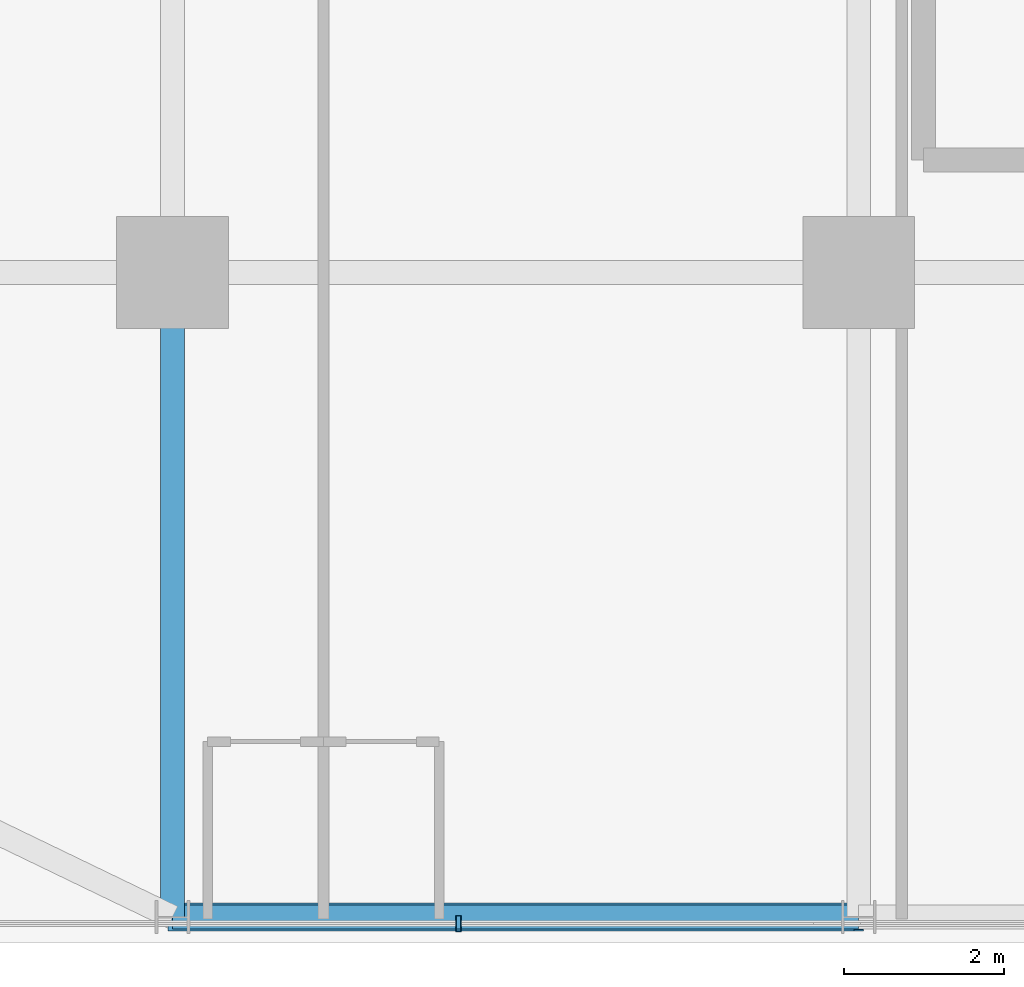
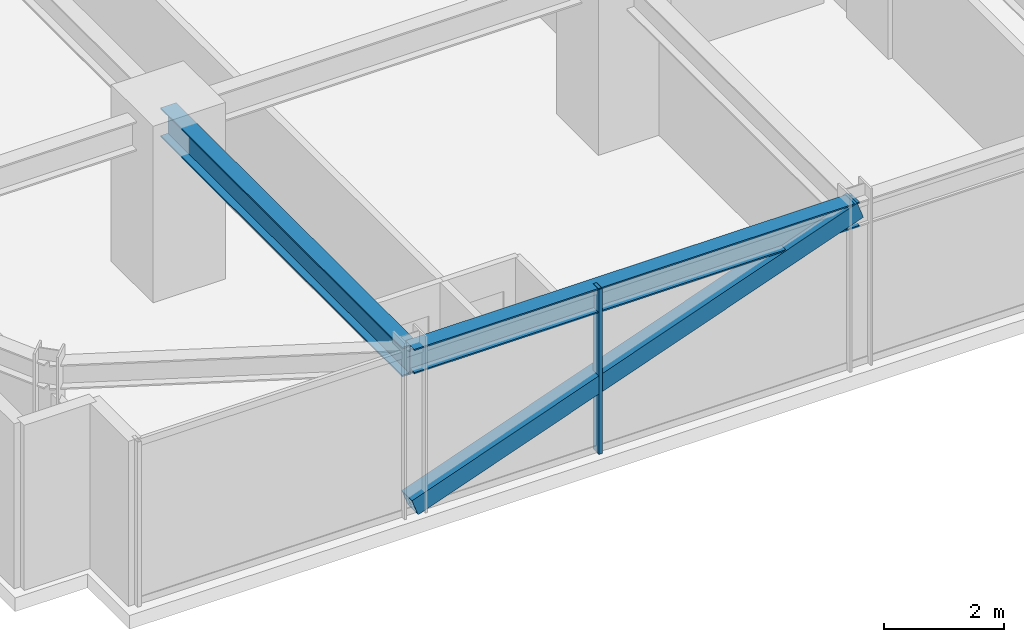
# One storey, part 4 of 42: 2 beams, 2 members, 1 element without a shape of its own.
"""IFC4 building model written with IfcOpenShell, lengths in metres."""

from ifc_helpers import new_model, si_unit, direction, frame, origin, origin_2d, place, context, subcontext, project, spatial, hollow_rectangle, i_section, extrude, source, transform, mapped, material, material_profile, profile_set, type_object, element, aggregate, save


model = new_model("IFC4")

# Units and contexts
model_context = context("Model", 3, precision=1e-05, world=origin(), true_north=direction((0.0, 1.0)))
body_context = subcontext(model_context, "Body", "Model", "MODEL_VIEW")
ifc_project = project(units=[si_unit("LENGTHUNIT", "METRE"), si_unit("AREAUNIT", "SQUARE_METRE"), si_unit("VOLUMEUNIT", "CUBIC_METRE"), si_unit("PLANEANGLEUNIT", "RADIAN"), si_unit("MASSUNIT", "GRAM", prefix="KILO")], contexts=[model_context])

# Site, building, storey
site_placement = place(None, origin())
site = spatial("IfcSite", under=ifc_project, at=site_placement, CompositionType="ELEMENT")
building_placement = place(site_placement, origin())
building = spatial("IfcBuilding", under=site, at=building_placement, Name="Nahalor Promenade Grand Hotel", CompositionType="ELEMENT")
storey_placement = place(building_placement, frame((0.0, 0.0, 61.60009765625)))
storey = spatial("IfcBuildingStorey", under=building, at=storey_placement, Name="L14", CompositionType="ELEMENT", Elevation=61.60009765625)

# Beams
ifc_material_1 = material(Name="Steel S355JR", Category="steel")
ifc_material_profile_1 = material_profile(ifc_material_1, i_section(OverallWidth=0.3, OverallDepth=0.5, WebThickness=0.0145, FlangeThickness=0.028, at=origin_2d()), Name="HEB 500")
ifc_profile_set_1 = profile_set([ifc_material_profile_1], Name="Steel S355JR")
beam_type_1 = type_object("IfcBeamType", Name="Beam-Spandrel-HEB500", PredefinedType="SPANDREL", material=ifc_profile_set_1)
shared_shape_1 = source(origin(), body_context, "Body", "SweptSolid", [
    extrude(i_section(OverallWidth=0.3, OverallDepth=0.5, WebThickness=0.0145, FlangeThickness=0.028, at=origin_2d()), origin(), (0.0, 0.0, 1.0), 8.60009765625),
])
beam_1_placement = place(storey_placement, frame((-17.0, -25.080078125, 3.119873046875), z_axis=(1.0, 0.0, 0.0), x_axis=(0.0, 1.0, 0.0)))
element("IfcBeam", 1, at=beam_1_placement, inside=storey, type_object=beam_type_1, Name="BM-L14-SP-S-0", PredefinedType="SPANDREL", context=body_context, shape_type="MappedRepresentation", body=[
    mapped(shared_shape_1, transform((0.0, 0.0, 0.0), scale=1.0)),
])
ifc_material_profile_2 = material_profile(ifc_material_1, i_section(OverallWidth=0.3, OverallDepth=0.6, WebThickness=0.0155, FlangeThickness=0.03, at=origin_2d()), Name="HEB 600")
ifc_profile_set_2 = profile_set([ifc_material_profile_2], Name="Steel S355JR")
beam_type_2 = type_object("IfcBeamType", Name="Beam-Girder-HEB600", PredefinedType="BEAM", material=ifc_profile_set_2)
shared_shape_2 = source(origin(), body_context, "Body", "SweptSolid", [
    extrude(i_section(OverallWidth=0.3, OverallDepth=0.6, WebThickness=0.0155, FlangeThickness=0.03, at=origin_2d()), origin(), (0.0, 0.0, 1.0), 8.080078125),
])
beam_2_placement = place(storey_placement, frame((-17.0, -25.080078125, 3.06982421875), z_axis=(0.0, 1.0, 0.0), x_axis=(-1.0, 0.0, 0.0)))
element("IfcBeam", 2, at=beam_2_placement, inside=storey, type_object=beam_type_2, Name="BM-L14-GY-0-0", PredefinedType="BEAM", context=body_context, shape_type="MappedRepresentation", body=[
    mapped(shared_shape_2, transform((0.0, 0.0, 0.0), scale=1.0)),
])

# Member
ifc_material_profile_3 = material_profile(ifc_material_1, hollow_rectangle(XDim=0.35, YDim=0.35, WallThickness=0.02, at=origin_2d()), Name="SHS 350x350x20")
ifc_profile_set_3 = profile_set([ifc_material_profile_3], Name="Steel S355JR")
member_type_1 = type_object("IfcMemberType", Name="Mem-VoidBrace-SHS350", PredefinedType="BRACE", material=ifc_profile_set_3)
shared_shape_3 = source(origin(), body_context, "Body", "SweptSolid", [
    extrude(hollow_rectangle(XDim=0.35, YDim=0.35, WallThickness=0.02, at=origin_2d()), origin(), (0.0, 0.0, 1.0), 9.131591796875),
])
member_1_placement = place(storey_placement, frame((-17.0, -25.080078125, 0.14990234375), z_axis=(0.941790292179, 0.0, 0.336200900589), x_axis=(0.0, 1.0, 0.0)))
element("IfcMember", 3, at=member_1_placement, inside=storey, type_object=member_type_1, Name="EXO-L14-S-0", PredefinedType="BRACE", context=body_context, shape_type="MappedRepresentation", body=[
    mapped(shared_shape_3, transform((0.0, 0.0, 0.0), scale=1.0)),
])

# Curtain wall, member
ifc_material_2 = material(Name="Anodised Bronze Aluminium EN AW-6063 T6", Category="aluminium")
curtain_wall_type = type_object("IfcCurtainWallType", Name="CW3 Elliptical-Void Collar Unitised Curtain Wall", PredefinedType="USERDEFINED", material=ifc_material_2)
curtain_wall_placement = place(storey_placement, origin())
curtain_wall = element("IfcCurtainWall", 4, at=curtain_wall_placement, inside=storey, type_object=curtain_wall_type, Name="L14 Curtain Wall CW-L14-S-1", ObjectType="UNITISED_CURTAIN_WALL", PredefinedType="USERDEFINED")
ifc_material_profile_4 = material_profile(ifc_material_2, hollow_rectangle(XDim=0.07, YDim=0.2, WallThickness=0.005, at=origin_2d()), Name="CWM 70x200x5")
ifc_profile_set_4 = profile_set([ifc_material_profile_4], Name="Anodised Bronze Aluminium EN AW-6063 T6")
member_type_2 = type_object("IfcMemberType", Name="CWM3 Void Collar Mullion 70x200", PredefinedType="MULLION", material=ifc_profile_set_4)
shared_shape_4 = source(origin(), body_context, "Body", "SweptSolid", [
    extrude(hollow_rectangle(XDim=0.07, YDim=0.2, WallThickness=0.005, at=origin_2d()), origin(), (0.0, 0.0, 1.0), 3.369873046875),
])
member_2_placement = place(storey_placement, frame((-13.416015625, -25.159912109375, 0.0), z_axis=(0.0, 0.0, 1.0), x_axis=(1.0, 0.0, 0.0)))
member_2 = element("IfcMember", 5, at=member_2_placement, type_object=member_type_2, Name="CW-L14-S-1 Mullion 1", PredefinedType="MULLION", context=body_context, shape_type="MappedRepresentation", body=[
    mapped(shared_shape_4, transform((0.0, 0.0, 0.0), scale=1.0)),
])
aggregate(curtain_wall, [member_2])

save(model, "model.ifc")
